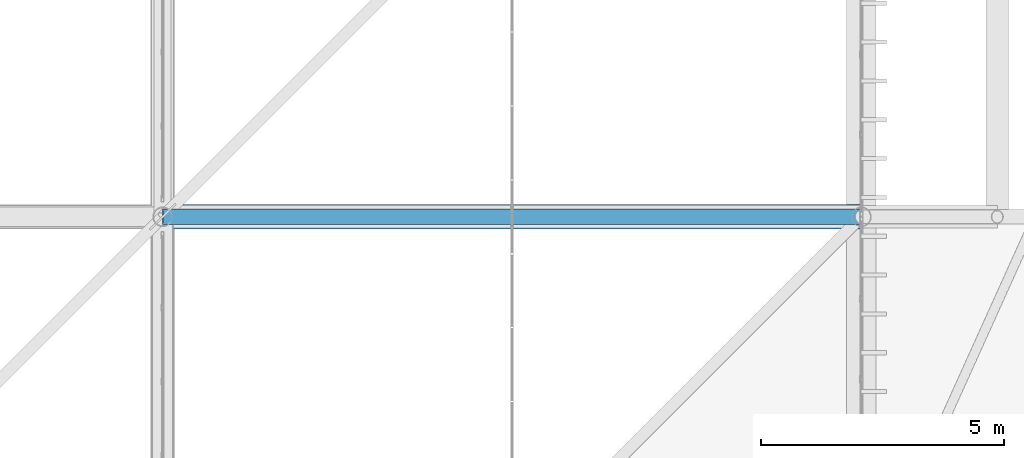
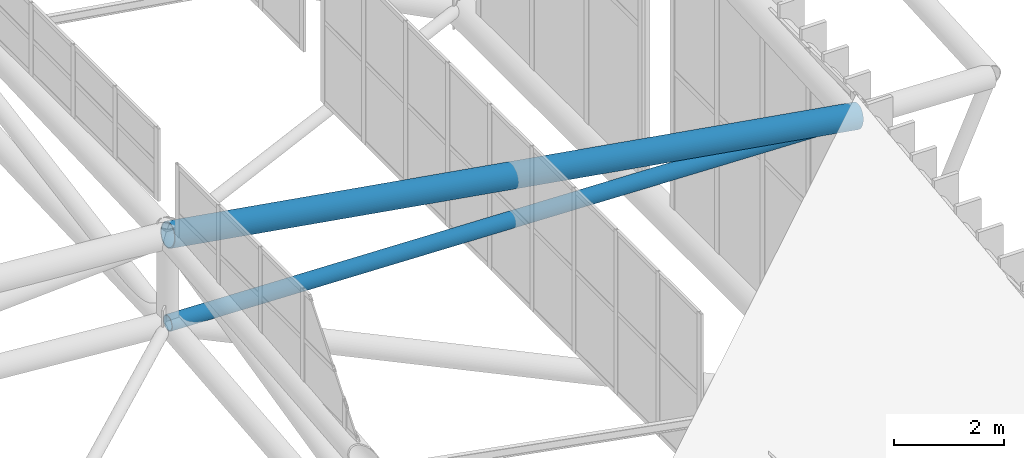
# One storey, part 149 of 397: 1 beam, 1 member.
"""IFC4 building model written with IfcOpenShell, lengths in metres."""

from ifc_helpers import new_model, si_unit, direction, frame, origin, origin_2d, place, context, subcontext, project, spatial, hollow_circle, extrude, material, material_profile, profile_set, type_object, element, save


model = new_model("IFC4")

# Units and contexts
model_context = context("Model", 3, precision=1e-05, world=origin(), true_north=direction((0.0, 1.0)))
body_context = subcontext(model_context, "Body", "Model", "MODEL_VIEW")
ifc_project = project(units=[si_unit("LENGTHUNIT", "METRE"), si_unit("AREAUNIT", "SQUARE_METRE"), si_unit("VOLUMEUNIT", "CUBIC_METRE"), si_unit("PLANEANGLEUNIT", "RADIAN"), si_unit("MASSUNIT", "GRAM", prefix="KILO")], contexts=[model_context])

# Site, building, storey
site_placement = place(None, origin())
site = spatial("IfcSite", under=ifc_project, at=site_placement, CompositionType="ELEMENT")
building_placement = place(site_placement, origin())
building = spatial("IfcBuilding", under=site, at=building_placement, Name="Qandorah Velis Arena", CompositionType="ELEMENT")
storey_placement = place(building_placement, frame((0.0, 0.0, 27.5)))
storey = spatial("IfcBuildingStorey", under=building, at=storey_placement, Name="RF", CompositionType="ELEMENT", Elevation=27.5)

# Beam
ifc_material = material(Name="Steel S355", Category="steel")
ifc_material_profile_1 = material_profile(ifc_material, hollow_circle(Radius=0.25390625, WallThickness=0.02001953125, at=origin_2d()), Name="CHS 508x20")
ifc_profile_set_1 = profile_set([ifc_material_profile_1], Name="Steel S355")
beam_type = type_object("IfcBeamType", Name="STR-SFC-CHS508X20", PredefinedType="USERDEFINED", material=ifc_profile_set_1)
beam_placement = place(storey_placement, frame((100.800048828125, 43.199951171875, 8.857666015625), z_axis=(0.986291594235, 0.0, -0.165011790918), x_axis=(0.0, 1.0, 0.0)))
element("IfcBeam", 1, at=beam_placement, inside=storey, type_object=beam_type, Name="Space frame roof truss top chord X 6.2", ObjectType="ROOF TRUSS", PredefinedType="USERDEFINED", context=body_context, shape_type="SweptSolid", body=[
    extrude(hollow_circle(Radius=0.25390625, WallThickness=0.02001953125, at=origin_2d()), origin(), (0.0, 0.0, 1.0), 14.60009765625),
])

# Member
ifc_material_profile_2 = material_profile(ifc_material, hollow_circle(Radius=0.161865234375, WallThickness=0.01611328125, at=origin_2d()), Name="CHS 323.9x16")
ifc_profile_set_2 = profile_set([ifc_material_profile_2], Name="Steel S355")
member_type = type_object("IfcMemberType", Name="STR-SFD-CHS323X16", PredefinedType="CHORD", material=ifc_profile_set_2)
member_placement = place(storey_placement, frame((100.800048828125, 43.199951171875, 6.90771484375), z_axis=(0.999491866897, 0.0, -0.0318748805), x_axis=(0.0, 1.0, 0.0)))
element("IfcMember", 2, at=member_placement, inside=storey, type_object=member_type, Name="Space frame roof diagonal X 6.2", PredefinedType="CHORD", context=body_context, shape_type="SweptSolid", body=[
    extrude(hollow_circle(Radius=0.161865234375, WallThickness=0.01611328125, at=origin_2d()), origin(), (0.0, 0.0, 1.0), 14.4072265625),
])

save(model, "model.ifc")
